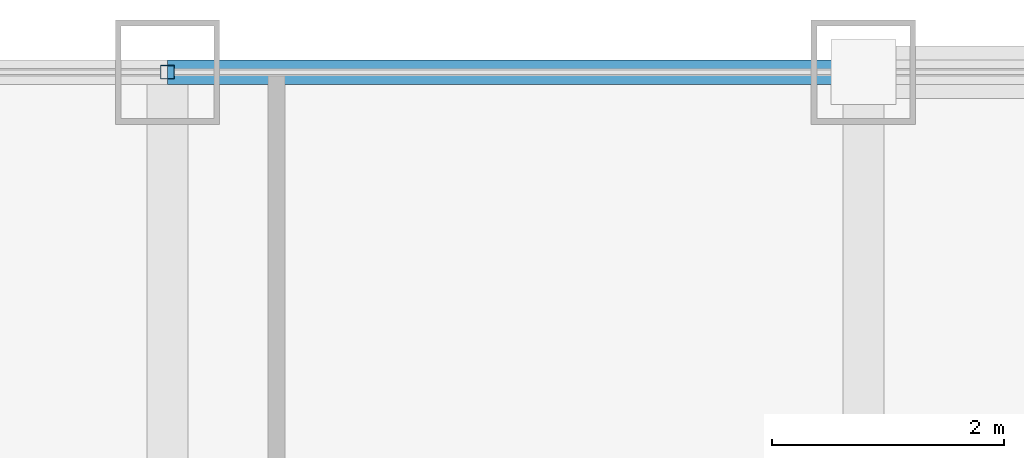
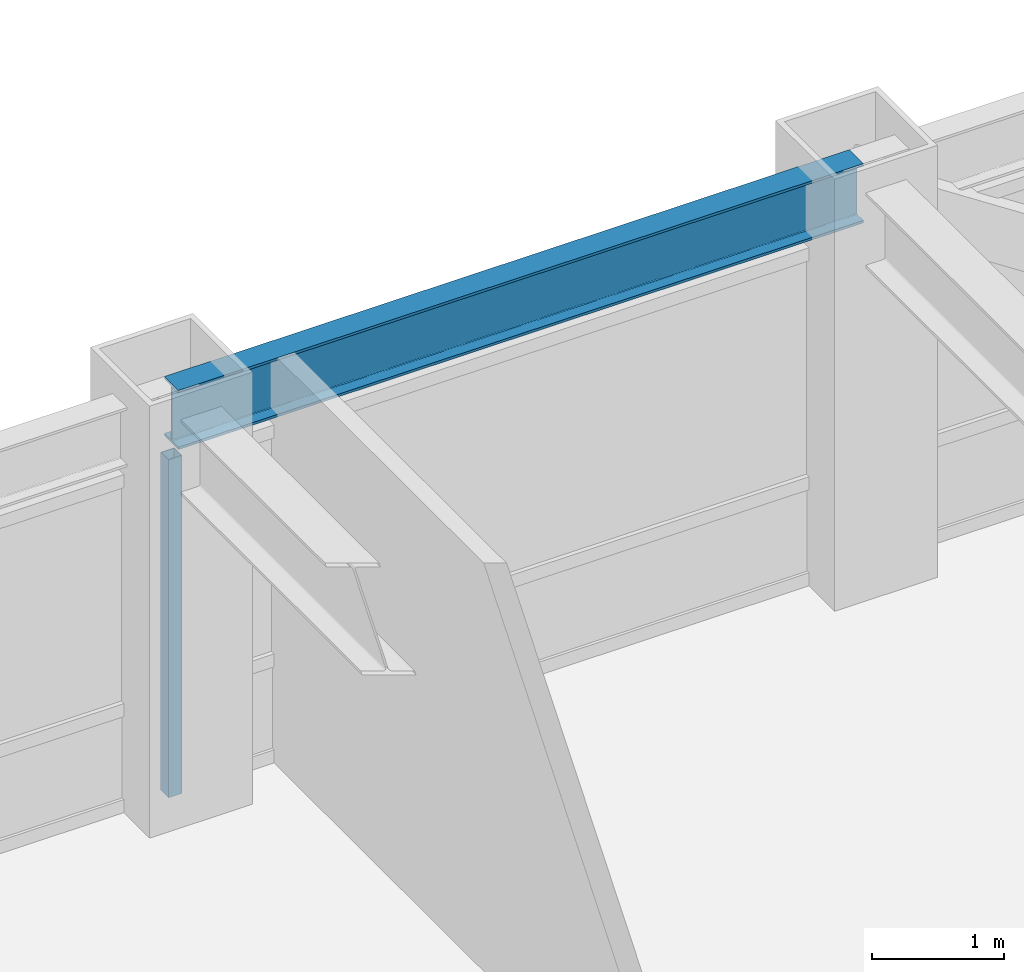
# One storey, part 14 of 22: 1 beam, 1 member, 1 element without a shape of its own.
"""IFC4 building model written with IfcOpenShell, lengths in metres."""

from ifc_helpers import new_model, si_unit, direction, frame, origin, origin_2d, place, context, subcontext, project, spatial, hollow_rectangle, i_section, extrude, source, transform, mapped, material, material_profile, profile_set, type_object, element, aggregate, save


model = new_model("IFC4")

# Units and contexts
model_context = context("Model", 3, precision=1e-05, world=origin(), true_north=direction((0.0, 1.0)))
body_context = subcontext(model_context, "Body", "Model", "MODEL_VIEW")
ifc_project = project(units=[si_unit("LENGTHUNIT", "METRE"), si_unit("AREAUNIT", "SQUARE_METRE"), si_unit("VOLUMEUNIT", "CUBIC_METRE"), si_unit("PLANEANGLEUNIT", "RADIAN"), si_unit("MASSUNIT", "GRAM", prefix="KILO")], contexts=[model_context])

# Site, building, storey
site_placement = place(None, origin())
site = spatial("IfcSite", under=ifc_project, at=site_placement, CompositionType="ELEMENT")
building_placement = place(site_placement, origin())
building = spatial("IfcBuilding", under=site, at=building_placement, Name="Khorayat Bourse Tower", CompositionType="ELEMENT")
storey_placement = place(building_placement, frame((0.0, 0.0, 301.5)))
storey = spatial("IfcBuildingStorey", under=building, at=storey_placement, Name="L71", CompositionType="ELEMENT", Elevation=301.5)

# Beam
ifc_material_1 = material(Name="Steel ASTM A992 Grade 50", Category="steel")
ifc_material_profile_1 = material_profile(ifc_material_1, i_section(OverallWidth=0.214111328125, OverallDepth=0.549072265625, WebThickness=0.0146484375, FlangeThickness=0.023681640625, FilletRadius=0.013916015625, at=origin_2d()), Name="W530X138")
ifc_profile_set_1 = profile_set([ifc_material_profile_1], Name="Steel ASTM A992 Grade 50")
beam_type = type_object("IfcBeamType", Name="BM-SPAN-530", PredefinedType="SPANDREL", material=ifc_profile_set_1)
shared_shape_1 = source(origin(), body_context, "Body", "SweptSolid", [
    extrude(i_section(OverallWidth=0.214111328125, OverallDepth=0.549072265625, WebThickness=0.0146484375, FlangeThickness=0.023681640625, FilletRadius=0.013916015625, at=origin_2d()), origin(), (0.0, 0.0, 1.0), 6.0),
])
beam_placement = place(storey_placement, frame((0.0, 28.0, 3.505615234375), z_axis=(1.0, 0.0, 0.0), x_axis=(0.0, 1.0, 0.0)))
element("IfcBeam", 1, at=beam_placement, inside=storey, type_object=beam_type, Name="L71 BM-SPAN-530 BM-L71-SPN-047", PredefinedType="SPANDREL", context=body_context, shape_type="MappedRepresentation", body=[
    mapped(shared_shape_1, transform((0.0, 0.0, 0.0), scale=1.0)),
])

# Curtain wall, member
ifc_material_2 = material(Name="Aluminium EN AW-6063 T6", Category="aluminium")
curtain_wall_type = type_object("IfcCurtainWallType", Name="CW-SYS-04", PredefinedType="NOTDEFINED", material=ifc_material_2)
curtain_wall_placement = place(storey_placement, origin())
curtain_wall = element("IfcCurtainWall", 2, at=curtain_wall_placement, inside=storey, type_object=curtain_wall_type, Name="L71 Curtain Wall CW-L71-N1", PredefinedType="NOTDEFINED")
ifc_material_profile_2 = material_profile(ifc_material_2, hollow_rectangle(XDim=0.1201171875, YDim=0.1201171875, WallThickness=0.0048828125, at=origin_2d()), Name="ALU 120x120x5")
ifc_profile_set_2 = profile_set([ifc_material_profile_2], Name="Aluminium EN AW-6063 T6")
member_type = type_object("IfcMemberType", Name="CWM-VERT-120", PredefinedType="MULLION", material=ifc_profile_set_2)
shared_shape_2 = source(origin(), body_context, "Body", "SweptSolid", [
    extrude(hollow_rectangle(XDim=0.1201171875, YDim=0.1201171875, WallThickness=0.0048828125, at=origin_2d()), origin(), (0.0, 0.0, 1.0), 3.1298828125),
])
member_placement = place(storey_placement, frame((0.0, 28.0, 0.0), z_axis=(0.0, 0.0, 1.0), x_axis=(0.0, 1.0, 0.0)))
member = element("IfcMember", 3, at=member_placement, type_object=member_type, Name="CW-L71-N1 Vertical Mullion 2", PredefinedType="MULLION", context=body_context, shape_type="MappedRepresentation", body=[
    mapped(shared_shape_2, transform((0.0, 0.0, 0.0), scale=1.0)),
])
aggregate(curtain_wall, [member])

save(model, "model.ifc")
